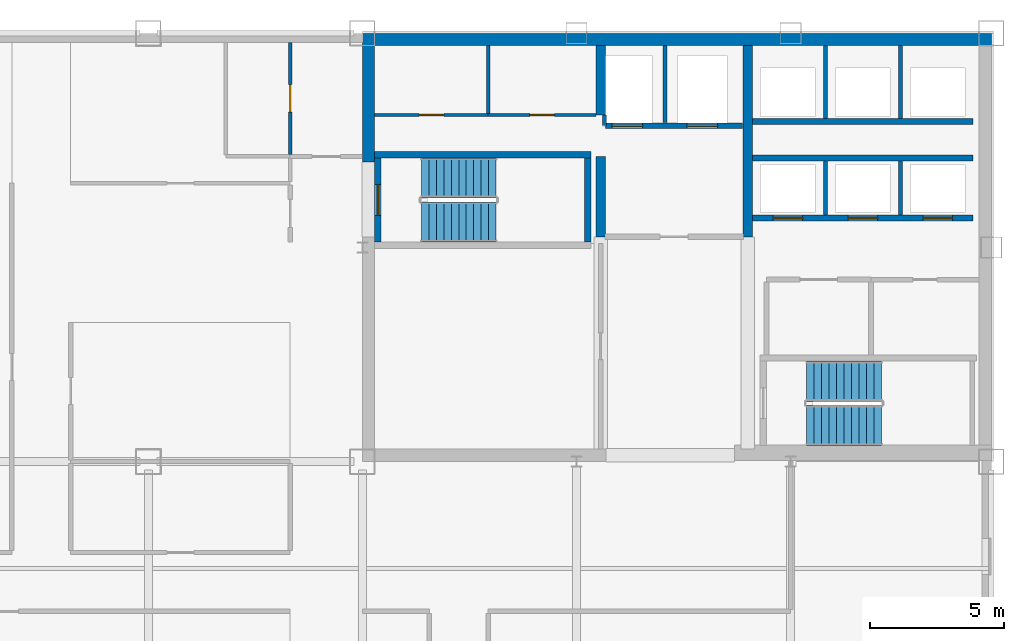
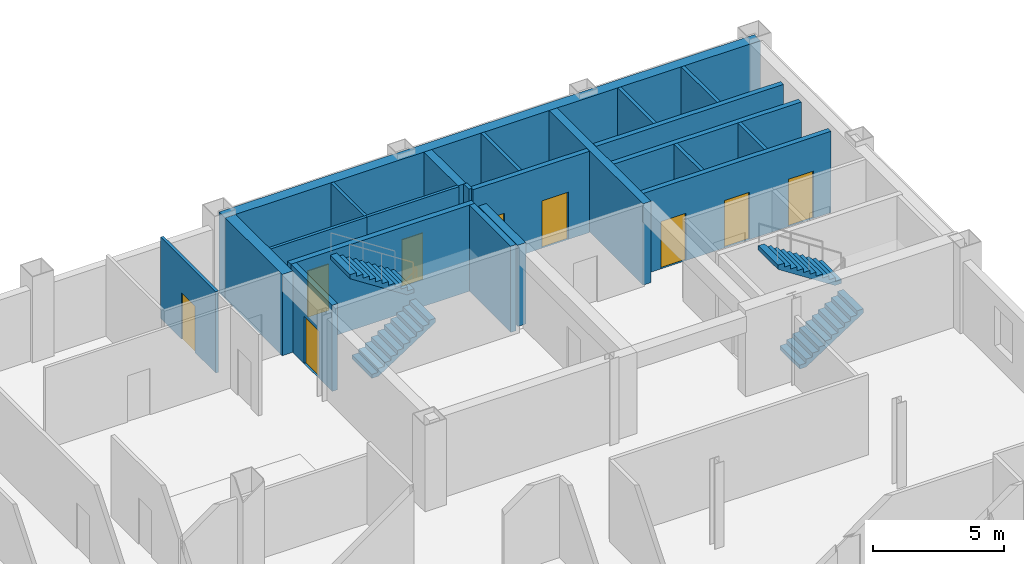
# One storey, part 6 of 10: 22 walls, 9 doors, 4 stair flights, 9 openings, 2 elements without a shape of their own.
"""IFC4 building model written with IfcOpenShell, lengths in metres."""

from ifc_helpers import new_model, si_unit, direction, frame, frame_2d, origin, place, context, subcontext, project, spatial, polyline, rectangle, outline, extrude, material, layer, layer_set, type_object, element, fill, aggregate, save


model = new_model("IFC4")

# Units and contexts
model_context = context("Model", 3, precision=1e-05, world=origin(), true_north=direction((0.0, 1.0)))
body_context = subcontext(model_context, "Body", "Model", "MODEL_VIEW")
ifc_project = project(units=[si_unit("LENGTHUNIT", "METRE"), si_unit("AREAUNIT", "SQUARE_METRE"), si_unit("VOLUMEUNIT", "CUBIC_METRE"), si_unit("PLANEANGLEUNIT", "RADIAN"), si_unit("MASSUNIT", "GRAM", prefix="KILO")], contexts=[model_context])

# Site, building, storey
site_placement = place(None, origin())
site = spatial("IfcSite", under=ifc_project, at=site_placement, CompositionType="ELEMENT")
building_placement = place(site_placement, origin())
building = spatial("IfcBuilding", under=site, at=building_placement, Name="Qianrong Seaharbour Tower", CompositionType="ELEMENT")
storey_placement = place(building_placement, frame((0.0, 0.0, 217.800048828125)))
storey = spatial("IfcBuildingStorey", under=building, at=storey_placement, Name="L52", CompositionType="ELEMENT", Elevation=217.800048828125)

# Walls
ifc_material_1 = material(Name="Concrete C60/75", Category="concrete")
ifc_layer_1 = layer(ifc_material_1, 0.4599609375)
ifc_layer_set_1 = layer_set([ifc_layer_1], Name="Concrete C60/75")
wall_type_1 = type_object("IfcWallType", Name="WALL-CORE-460", PredefinedType="SHEAR", material=ifc_layer_set_1)
wall_1_placement = place(storey_placement, frame((40.5, 51.77001953125, 0.0), z_axis=(0.0, 0.0, 1.0), x_axis=(1.0, 0.0, 0.0)))
element("IfcWall", 1, at=wall_1_placement, inside=storey, type_object=wall_type_1, Name="L52 North Core Shear Wall", PredefinedType="SHEAR", context=body_context, shape_type="SweptSolid", body=[
    extrude(rectangle(XDim=23.5, YDim=0.4599609375, at=frame_2d((11.75, 0.0))), origin(), (0.0, 0.0, 1.0), 3.77490234375),
])
wall_2_placement = place(storey_placement, frame((40.72998046875, 47.199951171875, 0.0), z_axis=(0.0, 0.0, 1.0), x_axis=(0.0, 1.0, 0.0)))
element("IfcWall", 2, at=wall_2_placement, inside=storey, type_object=wall_type_1, Name="L52 West Core Shear Wall North", PredefinedType="SHEAR", context=body_context, shape_type="SweptSolid", body=[
    extrude(rectangle(XDim=4.340087890625, YDim=0.4599609375, at=frame_2d((2.169921875, 0.0))), origin(), (0.0, 0.0, 1.0), 3.77490234375),
])
ifc_material_2 = material(Name="Concrete C50/60", Category="concrete")
ifc_layer_2 = layer(ifc_material_2, 0.35009765625)
ifc_layer_set_2 = layer_set([ifc_layer_2], Name="Concrete C50/60")
wall_type_2 = type_object("IfcWallType", Name="WALL-CORE-INT-350", PredefinedType="SHEAR", material=ifc_layer_set_2)
wall_3_placement = place(storey_placement, frame((49.39990234375, 44.39990234375, 0.0), z_axis=(0.0, 0.0, 1.0), x_axis=(0.0, 1.0, 0.0)))
element("IfcWall", 3, at=wall_3_placement, inside=storey, type_object=wall_type_2, Name="L52 Internal Core Shear Wall IW1N1", PredefinedType="SHEAR", context=body_context, shape_type="SweptSolid", body=[
    extrude(rectangle(XDim=3.0, YDim=0.35009765625, at=frame_2d((1.5, 0.0))), origin(), (0.0, 0.0, 1.0), 3.77490234375),
])
wall_4_placement = place(storey_placement, frame((49.39990234375, 48.949951171875, 0.0), z_axis=(0.0, 0.0, 1.0), x_axis=(0.0, 1.0, 0.0)))
element("IfcWall", 4, at=wall_4_placement, inside=storey, type_object=wall_type_2, Name="L52 Internal Core Shear Wall IW1N2", PredefinedType="SHEAR", context=body_context, shape_type="SweptSolid", body=[
    extrude(rectangle(XDim=2.590087890625, YDim=0.35009765625, at=frame_2d((1.294921875, 0.0))), origin(), (0.0, 0.0, 1.0), 3.77490234375),
])
wall_5_placement = place(storey_placement, frame((54.89990234375, 44.39990234375, 0.0), z_axis=(0.0, 0.0, 1.0), x_axis=(0.0, 1.0, 0.0)))
element("IfcWall", 5, at=wall_5_placement, inside=storey, type_object=wall_type_2, Name="L52 Internal Core Shear Wall IW2N", PredefinedType="SHEAR", context=body_context, shape_type="SweptSolid", body=[
    extrude(rectangle(XDim=7.14013671875, YDim=0.35009765625, at=frame_2d((3.570068359375, 0.0))), origin(), (0.0, 0.0, 1.0), 3.77490234375),
])
ifc_material_3 = material(Name="Fire-rated gypsum board on steel studs", Category="steel")
ifc_layer_3 = layer(ifc_material_3, 0.14990234375)
ifc_layer_set_3 = layer_set([ifc_layer_3], Name="Fire-rated gypsum board on steel studs")
wall_type_3 = type_object("IfcWallType", Name="WALL-SHAFT-DIV-150", PredefinedType="PARTITIONING", material=ifc_layer_set_3)
wall_6_placement = place(storey_placement, frame((51.800048828125, 48.669921875, 0.0), z_axis=(0.0, 0.0, 1.0), x_axis=(0.0, 1.0, 0.0)))
element("IfcWall", 6, at=wall_6_placement, inside=storey, type_object=wall_type_3, Name="L52 Firefighting Lift Shaft Divider Wall", PredefinedType="PARTITIONING", context=body_context, shape_type="SweptSolid", body=[
    extrude(rectangle(XDim=2.8701171875, YDim=0.14990234375, at=frame_2d((1.43505859375, 0.0))), origin(), (0.0, 0.0, 1.0), 3.77490234375),
])
wall_7_placement = place(storey_placement, frame((49.550048828125, 48.550048828125, 0.0), z_axis=(0.0, 0.0, 1.0), x_axis=(0.0, 1.0, 0.0)))
element("IfcWall", 7, at=wall_7_placement, inside=storey, type_object=wall_type_3, Name="L52 Firefighting Lift Shaft West Return Wall", PredefinedType="PARTITIONING", context=body_context, shape_type="SweptSolid", body=[
    extrude(rectangle(XDim=0.39990234375, YDim=0.14990234375, at=frame_2d((0.199951171875, 0.0))), origin(), (0.0, 0.0, 1.0), 3.77490234375),
])
for number, where, z_axis, x_axis, name in (
    (8, (57.800048828125, 45.2099609375, 0.0), (0.0, 0.0, 1.0), (0.0, 1.0, 0.0), "L52 P3 Lift Hoistway Divider 2"),
    (9, (60.60009765625, 45.2099609375, 0.0), (0.0, 0.0, 1.0), (0.0, 1.0, 0.0), "L52 P3 Lift Hoistway Divider 3"),
):
    element("IfcWall", number, at=place(storey_placement, frame(where, z_axis=z_axis, x_axis=x_axis)), inside=storey, type_object=wall_type_3, Name=name, PredefinedType="PARTITIONING", context=body_context, shape_type="SweptSolid", body=[
        extrude(rectangle(XDim=2.030029296875, YDim=0.14990234375, at=frame_2d((1.01513671875, 0.0))), origin(), (0.0, 0.0, 1.0), 3.77490234375),
    ])
for number, where, z_axis, x_axis, name in (
    (10, (57.800048828125, 48.81005859375, 0.0), (0.0, 0.0, 1.0), (0.0, 1.0, 0.0), "L52 P4 Lift Hoistway Divider 2"),
    (11, (60.60009765625, 48.81005859375, 0.0), (0.0, 0.0, 1.0), (0.0, 1.0, 0.0), "L52 P4 Lift Hoistway Divider 3"),
):
    element("IfcWall", number, at=place(storey_placement, frame(where, z_axis=z_axis, x_axis=x_axis)), inside=storey, type_object=wall_type_3, Name=name, PredefinedType="PARTITIONING", context=body_context, shape_type="SweptSolid", body=[
        extrude(rectangle(XDim=2.72998046875, YDim=0.14990234375, at=frame_2d((1.364990234375, 0.0))), origin(), (0.0, 0.0, 1.0), 3.77490234375),
    ])

# Wall, openings, doors
ifc_layer_4 = layer(ifc_material_3, 0.219970703125)
ifc_layer_set_4 = layer_set([ifc_layer_4], Name="Fire-rated gypsum board on steel studs")
wall_type_4 = type_object("IfcWallType", Name="WALL-SHAFT-GYP220", PredefinedType="PARTITIONING", material=ifc_layer_set_4)
wall_8_placement = place(storey_placement, frame((54.7099609375, 48.550048828125, 0.0), z_axis=(0.0, 0.0, 1.0), x_axis=(-1.0, 0.0, 0.0)))
wall_8 = element("IfcWall", 12, at=wall_8_placement, inside=storey, type_object=wall_type_4, Name="L52 Firefighting Lift Shaft Front Wall", PredefinedType="PARTITIONING", context=body_context, shape_type="SweptSolid", body=[
    extrude(rectangle(XDim=5.119873046875, YDim=0.219970703125, at=frame_2d((2.56005859375, 0.0))), origin(), (0.0, 0.0, 1.0), 3.77490234375),
])
opening_1_placement = place(wall_8_placement, frame((3.735107421875, 0.0, 0.0)))
opening_1 = element("IfcOpeningElement", 13, at=opening_1_placement, cuts=wall_8, Name="Opening LD-01", PredefinedType="OPENING", context=body_context, shape_type="SweptSolid", body=[
    extrude(rectangle(XDim=1.14990234375, YDim=2.199951171875, at=frame_2d((0.574951171875, 1.10009765625))), frame((0.0, 0.1201171875, 0.0), z_axis=(0.0, -1.0, 0.0), x_axis=(1.0, 0.0, 0.0)), (0.0, 0.0, 1.0), 0.239990234375),
])
opening_2_placement = place(wall_8_placement, frame((0.93505859375, 0.0, 0.0)))
opening_2 = element("IfcOpeningElement", 14, at=opening_2_placement, cuts=wall_8, Name="Opening LD-01", PredefinedType="OPENING", context=body_context, shape_type="SweptSolid", body=[
    extrude(rectangle(XDim=1.14990234375, YDim=2.199951171875, at=frame_2d((0.574951171875, 1.10009765625))), frame((0.0, 0.1201171875, 0.0), z_axis=(0.0, -1.0, 0.0), x_axis=(1.0, 0.0, 0.0)), (0.0, 0.0, 1.0), 0.239990234375),
])
ifc_material_4 = material(Name="Stainless steel SUS316L bi-parting lift landing door", Category="steel")
door_type_1 = type_object("IfcDoorType", Name="DOOR-LIFT-FF-1150x2200", OperationType="DOUBLE_DOOR_SLIDING", PredefinedType="DOOR", material=ifc_material_4)
door_1_placement = place(opening_1_placement, origin())
door_1 = element("IfcDoor", 15, at=door_1_placement, inside=storey, type_object=door_type_1, Name="L52 FL-1 Firefighting Lift Landing Door", OperationType="DOUBLE_DOOR_SLIDING", OverallHeight=2.199951171875, OverallWidth=1.14990234375, PredefinedType="DOOR", context=body_context, shape_type="SweptSolid", body=[
    extrude(rectangle(XDim=1.14990234375, YDim=2.199951171875, at=frame_2d((0.574951171875, 1.10009765625))), frame((0.0, 0.02490234375, 0.0), z_axis=(0.0, -1.0, 0.0), x_axis=(1.0, 0.0, 0.0)), (0.0, 0.0, 1.0), 0.050048828125),
])
fill(opening_1, door_1)
door_2_placement = place(opening_2_placement, origin())
door_2 = element("IfcDoor", 16, at=door_2_placement, inside=storey, type_object=door_type_1, Name="L52 FL-2 Firefighting Lift Landing Door", OperationType="DOUBLE_DOOR_SLIDING", OverallHeight=2.199951171875, OverallWidth=1.14990234375, PredefinedType="DOOR", context=body_context, shape_type="SweptSolid", body=[
    extrude(rectangle(XDim=1.14990234375, YDim=2.199951171875, at=frame_2d((0.574951171875, 1.10009765625))), frame((0.0, 0.02490234375, 0.0), z_axis=(0.0, -1.0, 0.0), x_axis=(1.0, 0.0, 0.0)), (0.0, 0.0, 1.0), 0.050048828125),
])
fill(opening_2, door_2)

wall_9_placement = place(storey_placement, frame((63.320068359375, 45.10009765625, 0.0), z_axis=(0.0, 0.0, 1.0), x_axis=(-1.0, 0.0, 0.0)))
wall_9 = element("IfcWall", 17, at=wall_9_placement, inside=storey, type_object=wall_type_4, Name="L52 P3 Lift Hoistway Front Wall", PredefinedType="PARTITIONING", context=body_context, shape_type="SweptSolid", body=[
    extrude(rectangle(XDim=8.239990234375, YDim=0.219970703125, at=frame_2d((4.1201171875, 0.0))), origin(), (0.0, 0.0, 1.0), 3.77490234375),
])
opening_3_placement = place(wall_9_placement, frame((6.3701171875, 0.0, 0.0)))
opening_3 = element("IfcOpeningElement", 18, at=opening_3_placement, cuts=wall_9, Name="Opening LD-02", PredefinedType="OPENING", context=body_context, shape_type="SweptSolid", body=[
    extrude(rectangle(XDim=1.10009765625, YDim=2.199951171875, at=frame_2d((0.550048828125, 1.10009765625))), frame((0.0, 0.1201171875, 0.0), z_axis=(0.0, -1.0, 0.0), x_axis=(1.0, 0.0, 0.0)), (0.0, 0.0, 1.0), 0.239990234375),
])
opening_4_placement = place(wall_9_placement, frame((3.570068359375, 0.0, 0.0)))
opening_4 = element("IfcOpeningElement", 19, at=opening_4_placement, cuts=wall_9, Name="Opening LD-02", PredefinedType="OPENING", context=body_context, shape_type="SweptSolid", body=[
    extrude(rectangle(XDim=1.10009765625, YDim=2.199951171875, at=frame_2d((0.550048828125, 1.10009765625))), frame((0.0, 0.1201171875, 0.0), z_axis=(0.0, -1.0, 0.0), x_axis=(1.0, 0.0, 0.0)), (0.0, 0.0, 1.0), 0.239990234375),
])
opening_5_placement = place(wall_9_placement, frame((0.77001953125, 0.0, 0.0)))
opening_5 = element("IfcOpeningElement", 20, at=opening_5_placement, cuts=wall_9, Name="Opening LD-02", PredefinedType="OPENING", context=body_context, shape_type="SweptSolid", body=[
    extrude(rectangle(XDim=1.10009765625, YDim=2.199951171875, at=frame_2d((0.550048828125, 1.10009765625))), frame((0.0, 0.1201171875, 0.0), z_axis=(0.0, -1.0, 0.0), x_axis=(1.0, 0.0, 0.0)), (0.0, 0.0, 1.0), 0.239990234375),
])
door_type_2 = type_object("IfcDoorType", Name="DOOR-LIFT-PASS-1100x2200", OperationType="DOUBLE_DOOR_SLIDING", PredefinedType="DOOR", material=ifc_material_4)
door_3_placement = place(opening_3_placement, origin())
door_3 = element("IfcDoor", 21, at=door_3_placement, inside=storey, type_object=door_type_2, Name="L52 PL-3A Lift Landing Door", OperationType="DOUBLE_DOOR_SLIDING", OverallHeight=2.199951171875, OverallWidth=1.10009765625, PredefinedType="DOOR", context=body_context, shape_type="SweptSolid", body=[
    extrude(rectangle(XDim=1.10009765625, YDim=2.199951171875, at=frame_2d((0.550048828125, 1.10009765625))), frame((0.0, 0.02490234375, 0.0), z_axis=(0.0, -1.0, 0.0), x_axis=(1.0, 0.0, 0.0)), (0.0, 0.0, 1.0), 0.050048828125),
])
fill(opening_3, door_3)
door_4_placement = place(opening_4_placement, origin())
door_4 = element("IfcDoor", 22, at=door_4_placement, inside=storey, type_object=door_type_2, Name="L52 PL-3B Lift Landing Door", OperationType="DOUBLE_DOOR_SLIDING", OverallHeight=2.199951171875, OverallWidth=1.10009765625, PredefinedType="DOOR", context=body_context, shape_type="SweptSolid", body=[
    extrude(rectangle(XDim=1.10009765625, YDim=2.199951171875, at=frame_2d((0.550048828125, 1.10009765625))), frame((0.0, 0.02490234375, 0.0), z_axis=(0.0, -1.0, 0.0), x_axis=(1.0, 0.0, 0.0)), (0.0, 0.0, 1.0), 0.050048828125),
])
fill(opening_4, door_4)
door_5_placement = place(opening_5_placement, origin())
door_5 = element("IfcDoor", 23, at=door_5_placement, inside=storey, type_object=door_type_2, Name="L52 PL-3C Lift Landing Door", OperationType="DOUBLE_DOOR_SLIDING", OverallHeight=2.199951171875, OverallWidth=1.10009765625, PredefinedType="DOOR", context=body_context, shape_type="SweptSolid", body=[
    extrude(rectangle(XDim=1.10009765625, YDim=2.199951171875, at=frame_2d((0.550048828125, 1.10009765625))), frame((0.0, 0.02490234375, 0.0), z_axis=(0.0, -1.0, 0.0), x_axis=(1.0, 0.0, 0.0)), (0.0, 0.0, 1.0), 0.050048828125),
])
fill(opening_5, door_5)

# Walls
for number, where, z_axis, x_axis, name in (
    (24, (55.080078125, 47.35009765625, 0.0), (0.0, 0.0, 1.0), (1.0, 0.0, 0.0), "L52 P3 Lift Hoistway Back Wall"),
    (25, (63.320068359375, 48.699951171875, 0.0), (0.0, 0.0, 1.0), (-1.0, 0.0, 0.0), "L52 P4 Lift Hoistway Front Wall"),
):
    element("IfcWall", number, at=place(storey_placement, frame(where, z_axis=z_axis, x_axis=x_axis)), inside=storey, type_object=wall_type_4, Name=name, PredefinedType="PARTITIONING", context=body_context, shape_type="SweptSolid", body=[
        extrude(rectangle(XDim=8.239990234375, YDim=0.219970703125, at=frame_2d((4.1201171875, 0.0))), origin(), (0.0, 0.0, 1.0), 3.77490234375),
    ])
ifc_layer_5 = layer(ifc_material_2, 0.239990234375)
ifc_layer_set_5 = layer_set([ifc_layer_5], Name="Concrete C50/60")
wall_type_5 = type_object("IfcWallType", Name="WALL-SHAFT-RC240", PredefinedType="SOLIDWALL", material=ifc_layer_set_5)
wall_10_placement = place(storey_placement, frame((40.9599609375, 47.469970703125, 0.0), z_axis=(0.0, 0.0, 1.0), x_axis=(1.0, 0.0, 0.0)))
element("IfcWall", 26, at=wall_10_placement, inside=storey, type_object=wall_type_5, Name="L52 ST-1 Structural Stair Core Wall N", PredefinedType="SOLIDWALL", context=body_context, shape_type="SweptSolid", body=[
    extrude(rectangle(XDim=8.080078125, YDim=0.239990234375, at=frame_2d((4.0400390625, 0.0))), origin(), (0.0, 0.0, 1.0), 4.0),
])

# Wall, opening, door
wall_11_placement = place(storey_placement, frame((41.080078125, 47.35009765625, 0.0), z_axis=(0.0, 0.0, 1.0), x_axis=(0.0, -1.0, 0.0)))
wall_11 = element("IfcWall", 27, at=wall_11_placement, inside=storey, type_object=wall_type_5, Name="L52 ST-1 Structural Stair Core Wall W", PredefinedType="SOLIDWALL", context=body_context, shape_type="SweptSolid", body=[
    extrude(rectangle(XDim=3.150146484375, YDim=0.239990234375, at=frame_2d((1.5751953125, 0.0))), origin(), (0.0, 0.0, 1.0), 4.0),
])
opening_6_placement = place(wall_11_placement, frame((1.0, 0.0, 0.0)))
opening_6 = element("IfcOpeningElement", 28, at=opening_6_placement, cuts=wall_11, Name="Opening SD-01", PredefinedType="OPENING", context=body_context, shape_type="SweptSolid", body=[
    extrude(rectangle(XDim=1.14990234375, YDim=2.199951171875, at=frame_2d((0.574951171875, 1.10009765625))), frame((0.0, 0.1298828125, 0.0), z_axis=(0.0, -1.0, 0.0), x_axis=(1.0, 0.0, 0.0)), (0.0, 0.0, 1.0), 0.260009765625),
])
ifc_material_5 = material(Name="Acoustic timber and galvanized steel fire door assembly", Category="steel")
door_type_3 = type_object("IfcDoorType", Name="DOOR-STAIR-FD60-1150x2200", OperationType="NOTDEFINED", PredefinedType="DOOR", material=ifc_material_5)
door_6_placement = place(opening_6_placement, origin())
door_6 = element("IfcDoor", 29, at=door_6_placement, inside=storey, type_object=door_type_3, Name="L52 ST-1 Protected Stair Door", OperationType="SINGLE_SWING_LEFT", OverallHeight=2.199951171875, OverallWidth=1.14990234375, PredefinedType="DOOR", context=body_context, shape_type="SweptSolid", body=[
    extrude(rectangle(XDim=1.14990234375, YDim=2.199951171875, at=frame_2d((0.574951171875, 1.10009765625))), frame((0.0, 0.02490234375, 0.0), z_axis=(0.0, -1.0, 0.0), x_axis=(1.0, 0.0, 0.0)), (0.0, 0.0, 1.0), 0.050048828125),
])
fill(opening_6, door_6)

# Wall
wall_12_placement = place(storey_placement, frame((48.919921875, 44.199951171875, 0.0), z_axis=(0.0, 0.0, 1.0), x_axis=(0.0, 1.0, 0.0)))
element("IfcWall", 30, at=wall_12_placement, inside=storey, type_object=wall_type_5, Name="L52 ST-1 Structural Stair Core Wall E", PredefinedType="SOLIDWALL", context=body_context, shape_type="SweptSolid", body=[
    extrude(rectangle(XDim=3.150146484375, YDim=0.239990234375, at=frame_2d((1.5751953125, 0.0))), origin(), (0.0, 0.0, 1.0), 4.0),
])

# Wall, opening, door
ifc_material_6 = material(Name="Water-resistant cement board sanitary partition")
ifc_layer_6 = layer(ifc_material_6, 0.1298828125)
ifc_layer_set_6 = layer_set([ifc_layer_6], Name="Water-resistant cement board sanitary partition")
wall_type_6 = type_object("IfcWallType", Name="WALL-WET-PART-130", PredefinedType="PARTITIONING", material=ifc_layer_set_6)
wall_13_placement = place(storey_placement, frame((37.800048828125, 47.474609375, 0.0), z_axis=(0.0, 0.0, 1.0), x_axis=(0.0, 1.0, 0.0)))
wall_13 = element("IfcWall", 31, at=wall_13_placement, inside=storey, type_object=wall_type_6, Name="L52 Interior Partition Wall 004", PredefinedType="PARTITIONING", context=body_context, shape_type="SweptSolid", body=[
    extrude(rectangle(XDim=4.193359375, YDim=0.1298828125, at=frame_2d((2.0966796875, 0.0))), origin(), (0.0, 0.0, 1.0), 3.77490234375),
])
opening_7_placement = place(wall_13_placement, frame((1.5869140625, 0.0, 0.0)))
opening_7 = element("IfcOpeningElement", 32, at=opening_7_placement, cuts=wall_13, Name="Opening DAW-01", PredefinedType="OPENING", context=body_context, shape_type="SweptSolid", body=[
    extrude(rectangle(XDim=1.02001953125, YDim=2.14990234375, at=frame_2d((0.510009765625, 1.074951171875))), frame((0.0, 0.074951171875, 0.0), z_axis=(0.0, -1.0, 0.0), x_axis=(1.0, 0.0, 0.0)), (0.0, 0.0, 1.0), 0.14990234375),
])
door_type_4 = type_object("IfcDoorType", Name="DOOR-AWC-SLIDE-1020x2150", OperationType="SLIDING_TO_LEFT", PredefinedType="DOOR", material=ifc_material_5)
door_7_placement = place(opening_7_placement, origin())
door_7 = element("IfcDoor", 33, at=door_7_placement, inside=storey, type_object=door_type_4, Name="L52 Accessible Restroom WC Door", OperationType="SLIDING_TO_LEFT", OverallHeight=2.14990234375, OverallWidth=1.02001953125, PredefinedType="DOOR", context=body_context, shape_type="SweptSolid", body=[
    extrude(rectangle(XDim=1.02001953125, YDim=2.14990234375, at=frame_2d((0.510009765625, 1.074951171875))), frame((0.0, 0.02490234375, 0.0), z_axis=(0.0, -1.0, 0.0), x_axis=(1.0, 0.0, 0.0)), (0.0, 0.0, 1.0), 0.050048828125),
])
fill(opening_7, door_7)

wall_14_placement = place(storey_placement, frame((40.9599609375, 48.949951171875, 0.0), z_axis=(0.0, 0.0, 1.0), x_axis=(1.0, 0.0, 0.0)))
wall_14 = element("IfcWall", 34, at=wall_14_placement, inside=storey, type_object=wall_type_6, Name="L52 Interior Partition Wall 007", PredefinedType="PARTITIONING", context=body_context, shape_type="SweptSolid", body=[
    extrude(rectangle(XDim=4.239990234375, YDim=0.1298828125, at=frame_2d((2.1201171875, 0.0))), origin(), (0.0, 0.0, 1.0), 3.77490234375),
])
opening_8_placement = place(wall_14_placement, frame((1.659912109375, 0.0, 0.0)))
opening_8 = element("IfcOpeningElement", 35, at=opening_8_placement, cuts=wall_14, Name="Opening DW-01", PredefinedType="OPENING", context=body_context, shape_type="SweptSolid", body=[
    extrude(rectangle(XDim=0.919921875, YDim=2.14990234375, at=frame_2d((0.4599609375, 1.074951171875))), frame((0.0, 0.074951171875, 0.0), z_axis=(0.0, -1.0, 0.0), x_axis=(1.0, 0.0, 0.0)), (0.0, 0.0, 1.0), 0.14990234375),
])
door_type_5 = type_object("IfcDoorType", Name="DOOR-WC-920x2150", OperationType="NOTDEFINED", PredefinedType="DOOR", material=ifc_material_5)
door_8_placement = place(opening_8_placement, origin())
door_8 = element("IfcDoor", 36, at=door_8_placement, inside=storey, type_object=door_type_5, Name="L52 Male Restroom WC Door", OperationType="SINGLE_SWING_RIGHT", OverallHeight=2.14990234375, OverallWidth=0.919921875, PredefinedType="DOOR", context=body_context, shape_type="SweptSolid", body=[
    extrude(rectangle(XDim=0.919921875, YDim=2.14990234375, at=frame_2d((0.4599609375, 1.074951171875))), frame((0.0, 0.02490234375, 0.0), z_axis=(0.0, -1.0, 0.0), x_axis=(1.0, 0.0, 0.0)), (0.0, 0.0, 1.0), 0.050048828125),
])
fill(opening_8, door_8)

wall_15_placement = place(storey_placement, frame((45.199951171875, 48.949951171875, 0.0), z_axis=(0.0, 0.0, 1.0), x_axis=(1.0, 0.0, 0.0)))
wall_15 = element("IfcWall", 37, at=wall_15_placement, inside=storey, type_object=wall_type_6, Name="L52 Interior Partition Wall 008", PredefinedType="PARTITIONING", context=body_context, shape_type="SweptSolid", body=[
    extrude(rectangle(XDim=4.032958984375, YDim=0.1298828125, at=frame_2d((2.0166015625, 0.0))), origin(), (0.0, 0.0, 1.0), 3.77490234375),
])
opening_9_placement = place(wall_15_placement, frame((1.556396484375, 0.0, 0.0)))
opening_9 = element("IfcOpeningElement", 38, at=opening_9_placement, cuts=wall_15, Name="Opening DW-01", PredefinedType="OPENING", context=body_context, shape_type="SweptSolid", body=[
    extrude(rectangle(XDim=0.919921875, YDim=2.14990234375, at=frame_2d((0.4599609375, 1.074951171875))), frame((0.0, 0.074951171875, 0.0), z_axis=(0.0, -1.0, 0.0), x_axis=(1.0, 0.0, 0.0)), (0.0, 0.0, 1.0), 0.14990234375),
])
door_9_placement = place(opening_9_placement, origin())
door_9 = element("IfcDoor", 39, at=door_9_placement, inside=storey, type_object=door_type_5, Name="L52 Female Restroom WC Door", OperationType="SINGLE_SWING_LEFT", OverallHeight=2.14990234375, OverallWidth=0.919921875, PredefinedType="DOOR", context=body_context, shape_type="SweptSolid", body=[
    extrude(rectangle(XDim=0.919921875, YDim=2.14990234375, at=frame_2d((0.4599609375, 1.074951171875))), frame((0.0, 0.02490234375, 0.0), z_axis=(0.0, -1.0, 0.0), x_axis=(1.0, 0.0, 0.0)), (0.0, 0.0, 1.0), 0.050048828125),
])
fill(opening_9, door_9)

# Wall
wall_16_placement = place(storey_placement, frame((45.199951171875, 51.5400390625, 0.0), z_axis=(0.0, 0.0, 1.0), x_axis=(0.0, -1.0, 0.0)))
element("IfcWall", 40, at=wall_16_placement, inside=storey, type_object=wall_type_6, Name="L52 Interior Partition Wall 014", PredefinedType="PARTITIONING", context=body_context, shape_type="SweptSolid", body=[
    extrude(rectangle(XDim=2.532958984375, YDim=0.1298828125, at=frame_2d((1.2666015625, 0.0))), origin(), (0.0, 0.0, 1.0), 3.77490234375),
])

# Stair, stair flights
stair_type = type_object("IfcStairType", Name="STAIR-DOGLEG-1500-R22", PredefinedType="HALF_TURN_STAIR", material=ifc_material_2)
stair_1_placement = place(storey_placement, origin())
stair_1 = element("IfcStair", 41, at=stair_1_placement, inside=storey, type_object=stair_type, Name="L52 Protected Escape Stair ST-1", PredefinedType="HALF_TURN_STAIR")
stair_flight_type = type_object("IfcStairFlightType", Name="FLIGHT-STR-1500-R22", PredefinedType="STRAIGHT", material=ifc_material_2)
stair_flight_1_placement = place(storey_placement, frame((42.699951171875, 44.949951171875, 0.0), z_axis=(0.0, 0.0, 1.0), x_axis=(1.0, 0.0, 0.0)))
stair_flight_1 = element("IfcStairFlight", 42, at=stair_flight_1_placement, type_object=stair_flight_type, Name="ST-1 flight 1", NumberOfRisers=11, NumberOfTreads=10, PredefinedType="STRAIGHT", RiserHeight=0.181818182, TreadLength=0.28, context=body_context, shape_type="SweptSolid", body=[
    extrude(outline(polyline([(0.0, 0.0), (0.0, 0.181884765625), (0.280029296875, 0.181884765625), (0.280029296875, 0.363525390625), (0.56005859375, 0.363525390625), (0.56005859375, 0.54541015625), (0.840087890625, 0.54541015625), (0.840087890625, 0.727294921875), (1.1201171875, 0.727294921875), (1.1201171875, 0.9091796875), (1.39990234375, 0.9091796875), (1.39990234375, 1.0908203125), (1.679931640625, 1.0908203125), (1.679931640625, 1.272705078125), (1.9599609375, 1.272705078125), (1.9599609375, 1.45458984375), (2.239990234375, 1.45458984375), (2.239990234375, 1.636474609375), (2.52001953125, 1.636474609375), (2.52001953125, 1.818115234375), (2.800048828125, 1.818115234375), (2.800048828125, 2.0), (2.800048828125, 1.62744140625), (0.293701171875, 0.0), (0.0, 0.0)])), frame((0.0, 0.75, 0.0), z_axis=(0.0, -1.0, 0.0), x_axis=(1.0, 0.0, 0.0)), (0.0, 0.0, 1.0), 1.5),
])
stair_flight_2_placement = place(storey_placement, frame((45.5, 46.60009765625, 2.0), z_axis=(0.0, 0.0, 1.0), x_axis=(-1.0, 0.0, 0.0)))
stair_flight_2 = element("IfcStairFlight", 43, at=stair_flight_2_placement, type_object=stair_flight_type, Name="ST-1 flight 2", NumberOfRisers=11, NumberOfTreads=10, PredefinedType="STRAIGHT", RiserHeight=0.181818182, TreadLength=0.28, context=body_context, shape_type="SweptSolid", body=[
    extrude(outline(polyline([(0.0, 0.0), (0.0, 0.181884765625), (0.280029296875, 0.181884765625), (0.280029296875, 0.363525390625), (0.56005859375, 0.363525390625), (0.56005859375, 0.54541015625), (0.840087890625, 0.54541015625), (0.840087890625, 0.727294921875), (1.1201171875, 0.727294921875), (1.1201171875, 0.9091796875), (1.39990234375, 0.9091796875), (1.39990234375, 1.0908203125), (1.679931640625, 1.0908203125), (1.679931640625, 1.272705078125), (1.9599609375, 1.272705078125), (1.9599609375, 1.45458984375), (2.239990234375, 1.45458984375), (2.239990234375, 1.636474609375), (2.52001953125, 1.636474609375), (2.52001953125, 1.818115234375), (2.800048828125, 1.818115234375), (2.800048828125, 2.0), (2.800048828125, 1.62744140625), (0.293701171875, 0.0), (0.0, 0.0)])), frame((0.0, 0.75, 0.0), z_axis=(0.0, -1.0, 0.0), x_axis=(1.0, 0.0, 0.0)), (0.0, 0.0, 1.0), 1.5),
])
aggregate(stair_1, [stair_flight_1, stair_flight_2])

stair_2_placement = place(storey_placement, origin())
stair_2 = element("IfcStair", 44, at=stair_2_placement, inside=storey, type_object=stair_type, Name="L52 Protected Escape Stair ST-2", PredefinedType="HALF_TURN_STAIR")
stair_flight_3_placement = place(storey_placement, frame((57.10009765625, 37.35009765625, 0.0), z_axis=(0.0, 0.0, 1.0), x_axis=(1.0, 0.0, 0.0)))
stair_flight_3 = element("IfcStairFlight", 45, at=stair_flight_3_placement, type_object=stair_flight_type, Name="ST-2 flight 1", NumberOfRisers=11, NumberOfTreads=10, PredefinedType="STRAIGHT", RiserHeight=0.181818182, TreadLength=0.28, context=body_context, shape_type="SweptSolid", body=[
    extrude(outline(polyline([(0.0, 0.0), (0.0, 0.181884765625), (0.280029296875, 0.181884765625), (0.280029296875, 0.363525390625), (0.56005859375, 0.363525390625), (0.56005859375, 0.54541015625), (0.840087890625, 0.54541015625), (0.840087890625, 0.727294921875), (1.1201171875, 0.727294921875), (1.1201171875, 0.9091796875), (1.39990234375, 0.9091796875), (1.39990234375, 1.0908203125), (1.679931640625, 1.0908203125), (1.679931640625, 1.272705078125), (1.9599609375, 1.272705078125), (1.9599609375, 1.45458984375), (2.239990234375, 1.45458984375), (2.239990234375, 1.636474609375), (2.52001953125, 1.636474609375), (2.52001953125, 1.818115234375), (2.800048828125, 1.818115234375), (2.800048828125, 2.0), (2.800048828125, 1.62744140625), (0.293701171875, 0.0), (0.0, 0.0)])), frame((0.0, 0.75, 0.0), z_axis=(0.0, -1.0, 0.0), x_axis=(1.0, 0.0, 0.0)), (0.0, 0.0, 1.0), 1.5),
])
stair_flight_4_placement = place(storey_placement, frame((59.89990234375, 39.0, 2.0), z_axis=(0.0, 0.0, 1.0), x_axis=(-1.0, 0.0, 0.0)))
stair_flight_4 = element("IfcStairFlight", 46, at=stair_flight_4_placement, type_object=stair_flight_type, Name="ST-2 flight 2", NumberOfRisers=11, NumberOfTreads=10, PredefinedType="STRAIGHT", RiserHeight=0.181818182, TreadLength=0.28, context=body_context, shape_type="SweptSolid", body=[
    extrude(outline(polyline([(0.0, 0.0), (0.0, 0.181884765625), (0.280029296875, 0.181884765625), (0.280029296875, 0.363525390625), (0.56005859375, 0.363525390625), (0.56005859375, 0.54541015625), (0.840087890625, 0.54541015625), (0.840087890625, 0.727294921875), (1.1201171875, 0.727294921875), (1.1201171875, 0.9091796875), (1.39990234375, 0.9091796875), (1.39990234375, 1.0908203125), (1.679931640625, 1.0908203125), (1.679931640625, 1.272705078125), (1.9599609375, 1.272705078125), (1.9599609375, 1.45458984375), (2.239990234375, 1.45458984375), (2.239990234375, 1.636474609375), (2.52001953125, 1.636474609375), (2.52001953125, 1.818115234375), (2.800048828125, 1.818115234375), (2.800048828125, 2.0), (2.800048828125, 1.62744140625), (0.293701171875, 0.0), (0.0, 0.0)])), frame((0.0, 0.75, 0.0), z_axis=(0.0, -1.0, 0.0), x_axis=(1.0, 0.0, 0.0)), (0.0, 0.0, 1.0), 1.5),
])
aggregate(stair_2, [stair_flight_3, stair_flight_4])

save(model, "model.ifc")
